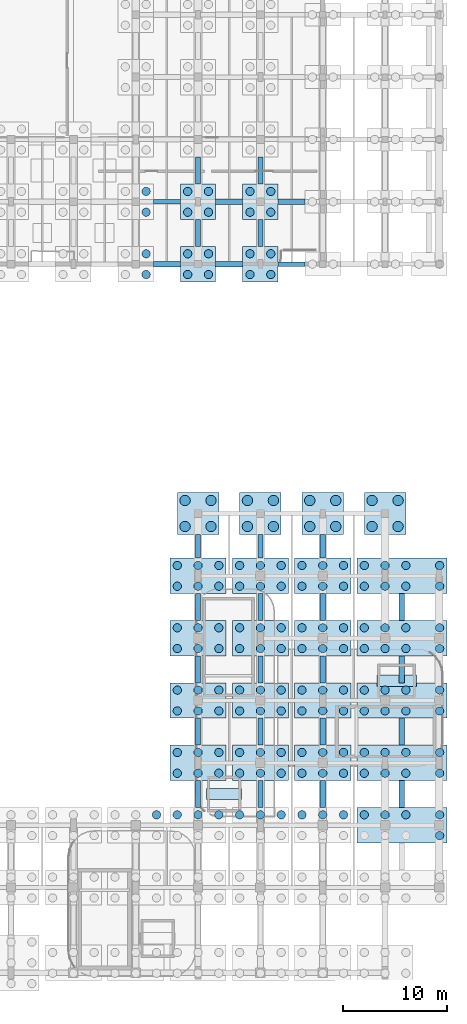
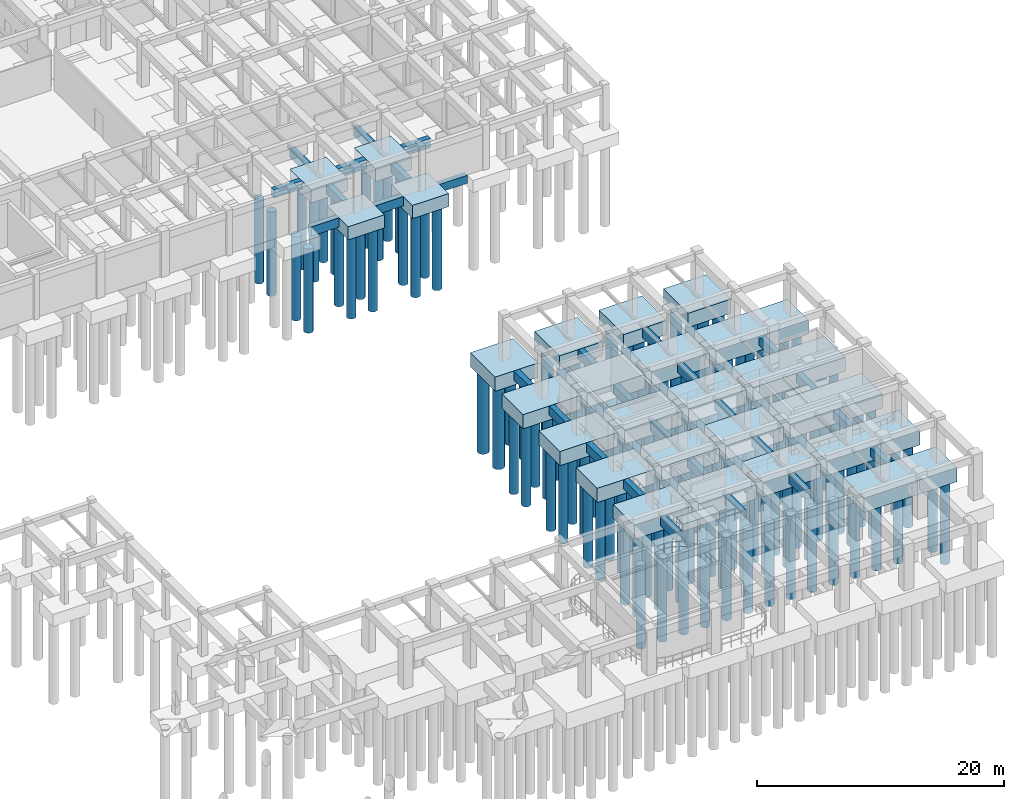
# One storey, part 9 of 32: 155 piles, 56 footings.
"""IFC4 building model written with IfcOpenShell, lengths in metres."""

from ifc_helpers import new_model, si_unit, direction, frame, origin, origin_2d, place, context, subcontext, project, spatial, rectangle, circle, extrude, material, material_profile, profile_set, type_object, element, save


model = new_model("IFC4")

# Units and contexts
model_context = context("Model", 3, precision=1e-05, world=origin(), true_north=direction((0.0, 1.0)))
body_context = subcontext(model_context, "Body", "Model", "MODEL_VIEW")
ifc_project = project(units=[si_unit("LENGTHUNIT", "METRE"), si_unit("AREAUNIT", "SQUARE_METRE"), si_unit("VOLUMEUNIT", "CUBIC_METRE"), si_unit("PLANEANGLEUNIT", "RADIAN"), si_unit("MASSUNIT", "GRAM", prefix="KILO")], contexts=[model_context])

# Site, building, storey
site_placement = place(None, origin())
site = spatial("IfcSite", under=ifc_project, at=site_placement, CompositionType="ELEMENT")
building_placement = place(site_placement, origin())
building = spatial("IfcBuilding", under=site, at=building_placement, Name="Varnakota Square Police Headquarters", CompositionType="ELEMENT")
storey_placement = place(building_placement, frame((0.0, 0.0, -4.5)))
storey = spatial("IfcBuildingStorey", under=building, at=storey_placement, Name="B1", CompositionType="ELEMENT", Elevation=-4.5)

# Footings
ifc_material_1 = material(Name="Concrete M40", Category="concrete")
ifc_material_profile_1 = material_profile(ifc_material_1, rectangle(XDim=0.5, YDim=0.89990234375, at=origin_2d()), Name="GB 500x900")
ifc_profile_set_1 = profile_set([ifc_material_profile_1], Name="Concrete M40")
footing_type_1 = type_object("IfcFootingType", Name="FT-GB1", PredefinedType="FOOTING_BEAM", material=ifc_profile_set_1)
for number, where, z_axis, x_axis, name in (
    (1, (133.699951171875, 69.0, -0.449951171875), (1.0, 0.0, 0.0), (0.0, 1.0, 0.0), "Ground tie beam GB-0073"),
    (2, (139.699951171875, 69.0, -0.449951171875), (1.0, 0.0, 0.0), (0.0, 1.0, 0.0), "Ground tie beam GB-0074"),
    (3, (139.699951171875, 75.0, -0.449951171875), (1.0, 0.0, 0.0), (0.0, 1.0, 0.0), "Ground tie beam GB-0088"),
    (4, (145.699951171875, 75.0, -0.449951171875), (1.0, 0.0, 0.0), (0.0, 1.0, 0.0), "Ground tie beam GB-0089"),
    (5, (138.0, 16.699951171875, -0.449951171875), (0.0, 1.0, 0.0), (-1.0, 0.0, 0.0), "Ground tie beam GB-0331"),
    (6, (138.0, 22.699951171875, -0.449951171875), (0.0, 1.0, 0.0), (-1.0, 0.0, 0.0), "Ground tie beam GB-0332"),
    (7, (138.0, 28.699951171875, -0.449951171875), (0.0, 1.0, 0.0), (-1.0, 0.0, 0.0), "Ground tie beam GB-0333"),
    (8, (138.0, 34.699951171875, -0.449951171875), (0.0, 1.0, 0.0), (-1.0, 0.0, 0.0), "Ground tie beam GB-0334"),
):
    element("IfcFooting", number, at=place(storey_placement, frame(where, z_axis=z_axis, x_axis=x_axis)), inside=storey, type_object=footing_type_1, Name=name, PredefinedType="FOOTING_BEAM", context=body_context, shape_type="SweptSolid", body=[
        extrude(rectangle(XDim=0.5, YDim=0.89990234375, at=origin_2d()), origin(), (0.0, 0.0, 1.0), 2.60009765625),
    ])
footing_1_placement = place(storey_placement, frame((138.0, 40.699951171875, -0.449951171875), z_axis=(0.0, 1.0, 0.0), x_axis=(-1.0, 0.0, 0.0)))
element("IfcFooting", 9, at=footing_1_placement, inside=storey, type_object=footing_type_1, Name="Ground tie beam GB-0335", PredefinedType="FOOTING_BEAM", context=body_context, shape_type="SweptSolid", body=[
    extrude(rectangle(XDim=0.5, YDim=0.89990234375, at=origin_2d()), origin(), (0.0, 0.0, 1.0), 2.300048828125),
])
for number, where, z_axis, x_axis, name in (
    (10, (138.0, 70.699951171875, -0.449951171875), (0.0, 1.0, 0.0), (-1.0, 0.0, 0.0), "Ground tie beam GB-0336"),
    (11, (138.0, 76.699951171875, -0.449951171875), (0.0, 1.0, 0.0), (-1.0, 0.0, 0.0), "Ground tie beam GB-0337"),
    (12, (144.0, 16.699951171875, -0.449951171875), (0.0, 1.0, 0.0), (-1.0, 0.0, 0.0), "Ground tie beam GB-0344"),
    (13, (144.0, 22.699951171875, -0.449951171875), (0.0, 1.0, 0.0), (-1.0, 0.0, 0.0), "Ground tie beam GB-0345"),
    (14, (144.0, 28.699951171875, -0.449951171875), (0.0, 1.0, 0.0), (-1.0, 0.0, 0.0), "Ground tie beam GB-0346"),
    (15, (144.0, 34.699951171875, -0.449951171875), (0.0, 1.0, 0.0), (-1.0, 0.0, 0.0), "Ground tie beam GB-0347"),
):
    element("IfcFooting", number, at=place(storey_placement, frame(where, z_axis=z_axis, x_axis=x_axis)), inside=storey, type_object=footing_type_1, Name=name, PredefinedType="FOOTING_BEAM", context=body_context, shape_type="SweptSolid", body=[
        extrude(rectangle(XDim=0.5, YDim=0.89990234375, at=origin_2d()), origin(), (0.0, 0.0, 1.0), 2.60009765625),
    ])
footing_2_placement = place(storey_placement, frame((144.0, 40.699951171875, -0.449951171875), z_axis=(0.0, 1.0, 0.0), x_axis=(-1.0, 0.0, 0.0)))
element("IfcFooting", 16, at=footing_2_placement, inside=storey, type_object=footing_type_1, Name="Ground tie beam GB-0348", PredefinedType="FOOTING_BEAM", context=body_context, shape_type="SweptSolid", body=[
    extrude(rectangle(XDim=0.5, YDim=0.89990234375, at=origin_2d()), origin(), (0.0, 0.0, 1.0), 2.300048828125),
])
for number, where, z_axis, x_axis, name in (
    (17, (144.0, 70.699951171875, -0.449951171875), (0.0, 1.0, 0.0), (-1.0, 0.0, 0.0), "Ground tie beam GB-0349"),
    (18, (144.0, 76.699951171875, -0.449951171875), (0.0, 1.0, 0.0), (-1.0, 0.0, 0.0), "Ground tie beam GB-0350"),
    (19, (150.0, 16.699951171875, -0.449951171875), (0.0, 1.0, 0.0), (-1.0, 0.0, 0.0), "Ground tie beam GB-0357"),
    (20, (150.0, 22.699951171875, -0.449951171875), (0.0, 1.0, 0.0), (-1.0, 0.0, 0.0), "Ground tie beam GB-0358"),
    (21, (150.0, 28.699951171875, -0.449951171875), (0.0, 1.0, 0.0), (-1.0, 0.0, 0.0), "Ground tie beam GB-0359"),
    (22, (150.0, 34.699951171875, -0.449951171875), (0.0, 1.0, 0.0), (-1.0, 0.0, 0.0), "Ground tie beam GB-0360"),
):
    element("IfcFooting", number, at=place(storey_placement, frame(where, z_axis=z_axis, x_axis=x_axis)), inside=storey, type_object=footing_type_1, Name=name, PredefinedType="FOOTING_BEAM", context=body_context, shape_type="SweptSolid", body=[
        extrude(rectangle(XDim=0.5, YDim=0.89990234375, at=origin_2d()), origin(), (0.0, 0.0, 1.0), 2.60009765625),
    ])
footing_3_placement = place(storey_placement, frame((150.0, 40.699951171875, -0.449951171875), z_axis=(0.0, 1.0, 0.0), x_axis=(-1.0, 0.0, 0.0)))
element("IfcFooting", 23, at=footing_3_placement, inside=storey, type_object=footing_type_1, Name="Ground tie beam GB-0361", PredefinedType="FOOTING_BEAM", context=body_context, shape_type="SweptSolid", body=[
    extrude(rectangle(XDim=0.5, YDim=0.89990234375, at=origin_2d()), origin(), (0.0, 0.0, 1.0), 2.300048828125),
])
for number, where, z_axis, x_axis, name in (
    (24, (157.60009765625, 16.699951171875, -0.449951171875), (0.0, 1.0, 0.0), (-1.0, 0.0, 0.0), "Ground tie beam GB-0374"),
    (25, (157.60009765625, 22.699951171875, -0.449951171875), (0.0, 1.0, 0.0), (-1.0, 0.0, 0.0), "Ground tie beam GB-0375"),
    (26, (157.60009765625, 28.699951171875, -0.449951171875), (0.0, 1.0, 0.0), (-1.0, 0.0, 0.0), "Ground tie beam GB-0376"),
    (27, (157.60009765625, 34.699951171875, -0.449951171875), (0.0, 1.0, 0.0), (-1.0, 0.0, 0.0), "Ground tie beam GB-0377"),
):
    element("IfcFooting", number, at=place(storey_placement, frame(where, z_axis=z_axis, x_axis=x_axis)), inside=storey, type_object=footing_type_1, Name=name, PredefinedType="FOOTING_BEAM", context=body_context, shape_type="SweptSolid", body=[
        extrude(rectangle(XDim=0.5, YDim=0.89990234375, at=origin_2d()), origin(), (0.0, 0.0, 1.0), 2.60009765625),
    ])
ifc_material_profile_2 = material_profile(ifc_material_1, rectangle(XDim=0.449951171875, YDim=0.800048828125, at=origin_2d()), Name="GB 450x800")
ifc_profile_set_2 = profile_set([ifc_material_profile_2], Name="Concrete M40")
footing_type_2 = type_object("IfcFootingType", Name="FT-GB3", PredefinedType="FOOTING_BEAM", material=ifc_profile_set_2)
for number, where, z_axis, x_axis, name in (
    (28, (145.699951171875, 69.0, -0.39990234375), (1.0, 0.0, 0.0), (0.0, 1.0, 0.0), "Ground tie beam GB-0075"),
    (29, (133.699951171875, 75.0, -0.39990234375), (1.0, 0.0, 0.0), (0.0, 1.0, 0.0), "Ground tie beam GB-0087"),
):
    element("IfcFooting", number, at=place(storey_placement, frame(where, z_axis=z_axis, x_axis=x_axis)), inside=storey, type_object=footing_type_2, Name=name, PredefinedType="FOOTING_BEAM", context=body_context, shape_type="SweptSolid", body=[
        extrude(rectangle(XDim=0.449951171875, YDim=0.800048828125, at=origin_2d()), origin(), (0.0, 0.0, 1.0), 2.60009765625),
    ])
footing_type_3 = type_object("IfcFootingType", Name="FT-PC4", PredefinedType="PILE_CAP", material=ifc_material_1)
for number, where, z_axis, x_axis, name in (
    (30, (138.0, 69.0, -1.2998046875), (0.0, 0.0, 1.0), (1.0, 0.0, 0.0), "Pile cap CAP-X1380-Y0690"),
    (31, (138.0, 75.0, -1.2998046875), (0.0, 0.0, 1.0), (1.0, 0.0, 0.0), "Pile cap CAP-X1380-Y0750"),
    (32, (144.0, 69.0, -1.2998046875), (0.0, 0.0, 1.0), (1.0, 0.0, 0.0), "Pile cap CAP-X1440-Y0690"),
    (33, (144.0, 75.0, -1.2998046875), (0.0, 0.0, 1.0), (1.0, 0.0, 0.0), "Pile cap CAP-X1440-Y0750"),
):
    element("IfcFooting", number, at=place(storey_placement, frame(where, z_axis=z_axis, x_axis=x_axis)), inside=storey, type_object=footing_type_3, Name=name, PredefinedType="PILE_CAP", context=body_context, shape_type="SweptSolid", body=[
        extrude(rectangle(XDim=3.39990234375, YDim=3.39990234375, at=origin_2d()), origin(), (0.0, 0.0, 1.0), 1.300048828125),
    ])
ifc_material_2 = material(Name="Concrete M50", Category="concrete")
footing_type_4 = type_object("IfcFootingType", Name="FT-PC6", PredefinedType="PILE_CAP", material=ifc_material_2)
for number, where, z_axis, x_axis, name in (
    (34, (138.0, 45.0, -1.39990234375), (0.0, 0.0, 1.0), (1.0, 0.0, 0.0), "Pile cap CAP-X1380-Y0450"),
    (35, (144.0, 45.0, -1.39990234375), (0.0, 0.0, 1.0), (1.0, 0.0, 0.0), "Pile cap CAP-X1440-Y0450"),
    (36, (150.0, 45.0, -1.39990234375), (0.0, 0.0, 1.0), (1.0, 0.0, 0.0), "Pile cap CAP-X1500-Y0450"),
    (37, (156.0, 45.0, -1.39990234375), (0.0, 0.0, 1.0), (1.0, 0.0, 0.0), "Pile cap CAP-X1560-Y0450"),
):
    element("IfcFooting", number, at=place(storey_placement, frame(where, z_axis=z_axis, x_axis=x_axis)), inside=storey, type_object=footing_type_4, Name=name, PredefinedType="PILE_CAP", context=body_context, shape_type="SweptSolid", body=[
        extrude(rectangle(XDim=4.0, YDim=4.0, at=origin_2d()), origin(), (0.0, 0.0, 1.0), 1.39990234375),
    ])
footing_type_5 = type_object("IfcFootingType", Name="FT-PC7", PredefinedType="PILE_CAP", material=ifc_material_2)
for number, where, z_axis, x_axis, name in (
    (38, (138.0, 21.0, -1.39990234375), (0.0, 0.0, 1.0), (1.0, 0.0, 0.0), "Pile cap CAP-X1380-Y0210"),
    (39, (138.0, 27.0, -1.39990234375), (0.0, 0.0, 1.0), (1.0, 0.0, 0.0), "Pile cap CAP-X1380-Y0270"),
    (40, (138.0, 33.0, -1.39990234375), (0.0, 0.0, 1.0), (1.0, 0.0, 0.0), "Pile cap CAP-X1380-Y0330"),
    (41, (138.0, 39.0, -1.39990234375), (0.0, 0.0, 1.0), (1.0, 0.0, 0.0), "Pile cap CAP-X1380-Y0390"),
    (42, (144.0, 21.0, -1.39990234375), (0.0, 0.0, 1.0), (1.0, 0.0, 0.0), "Pile cap CAP-X1440-Y0210"),
    (43, (144.0, 27.0, -1.39990234375), (0.0, 0.0, 1.0), (1.0, 0.0, 0.0), "Pile cap CAP-X1440-Y0270"),
    (44, (144.0, 33.0, -1.39990234375), (0.0, 0.0, 1.0), (1.0, 0.0, 0.0), "Pile cap CAP-X1440-Y0330"),
    (45, (144.0, 39.0, -1.39990234375), (0.0, 0.0, 1.0), (1.0, 0.0, 0.0), "Pile cap CAP-X1440-Y0390"),
    (46, (150.0, 21.0, -1.39990234375), (0.0, 0.0, 1.0), (1.0, 0.0, 0.0), "Pile cap CAP-X1500-Y0210"),
    (47, (150.0, 27.0, -1.39990234375), (0.0, 0.0, 1.0), (1.0, 0.0, 0.0), "Pile cap CAP-X1500-Y0270"),
    (48, (150.0, 33.0, -1.39990234375), (0.0, 0.0, 1.0), (1.0, 0.0, 0.0), "Pile cap CAP-X1500-Y0330"),
    (49, (150.0, 39.0, -1.39990234375), (0.0, 0.0, 1.0), (1.0, 0.0, 0.0), "Pile cap CAP-X1500-Y0390"),
):
    element("IfcFooting", number, at=place(storey_placement, frame(where, z_axis=z_axis, x_axis=x_axis)), inside=storey, type_object=footing_type_5, Name=name, PredefinedType="PILE_CAP", context=body_context, shape_type="SweptSolid", body=[
        extrude(rectangle(XDim=5.39990234375, YDim=3.39990234375, at=origin_2d()), origin(), (0.0, 0.0, 1.0), 1.39990234375),
    ])
footing_type_6 = type_object("IfcFootingType", Name="FT-PCM-865x340x140", PredefinedType="PILE_CAP", material=ifc_material_2)
for number, where, z_axis, x_axis, name in (
    (50, (157.625, 15.0, -1.39990234375), (0.0, 0.0, 1.0), (1.0, 0.0, 0.0), "Pile cap CAP-X1560-Y0150"),
    (51, (157.625, 21.0, -1.39990234375), (0.0, 0.0, 1.0), (1.0, 0.0, 0.0), "Pile cap CAP-X1560-Y0210"),
    (52, (157.625, 27.0, -1.39990234375), (0.0, 0.0, 1.0), (1.0, 0.0, 0.0), "Pile cap CAP-X1560-Y0270"),
    (53, (157.625, 33.0, -1.39990234375), (0.0, 0.0, 1.0), (1.0, 0.0, 0.0), "Pile cap CAP-X1560-Y0330"),
    (54, (157.625, 39.0, -1.39990234375), (0.0, 0.0, 1.0), (1.0, 0.0, 0.0), "Pile cap CAP-X1560-Y0390"),
):
    element("IfcFooting", number, at=place(storey_placement, frame(where, z_axis=z_axis, x_axis=x_axis)), inside=storey, type_object=footing_type_6, Name=name, PredefinedType="PILE_CAP", context=body_context, shape_type="SweptSolid", body=[
        extrude(rectangle(XDim=8.64990234375, YDim=3.39990234375, at=origin_2d()), origin(), (0.0, 0.0, 1.0), 1.39990234375),
    ])
ifc_material_profile_3 = material_profile(ifc_material_1, rectangle(XDim=1.10009765625, YDim=0.699951171875, at=origin_2d()), Name="SF 1100x700")
ifc_profile_set_3 = profile_set([ifc_material_profile_3], Name="Concrete M40")
footing_type_7 = type_object("IfcFootingType", Name="FT-SF2", PredefinedType="STRIP_FOOTING", material=ifc_profile_set_3)
footing_4_placement = place(storey_placement, frame((138.800048828125, 18.0, -0.35009765625), z_axis=(1.0, 0.0, 0.0), x_axis=(0.0, 1.0, 0.0)))
element("IfcFooting", 55, at=footing_4_placement, inside=storey, type_object=footing_type_7, Name="Strip footing SF-07", PredefinedType="STRIP_FOOTING", context=body_context, shape_type="SweptSolid", body=[
    extrude(rectangle(XDim=1.10009765625, YDim=0.699951171875, at=origin_2d()), origin(), (0.0, 0.0, 1.0), 3.39990234375),
])
footing_5_placement = place(storey_placement, frame((155.199951171875, 28.89990234375, -0.35009765625), z_axis=(1.0, 0.0, 0.0), x_axis=(0.0, 1.0, 0.0)))
element("IfcFooting", 56, at=footing_5_placement, inside=storey, type_object=footing_type_7, Name="Strip footing SF-10", PredefinedType="STRIP_FOOTING", context=body_context, shape_type="SweptSolid", body=[
    extrude(rectangle(XDim=1.10009765625, YDim=0.699951171875, at=origin_2d()), origin(), (0.0, 0.0, 1.0), 3.800048828125),
])

# Piles
ifc_material_profile_4 = material_profile(ifc_material_2, circle(Radius=0.5, at=origin_2d()), Name="BORED PILE 1000")
ifc_profile_set_4 = profile_set([ifc_material_profile_4], Name="Concrete M50")
pile_type_1 = type_object("IfcPileType", Name="PILE-D1000", PredefinedType="BORED", material=ifc_profile_set_4)
for number, where, z_axis, x_axis, name in (
    (57, (136.75, 43.75, -1.300048828125), (0.0, 0.0, -1.0), (1.0, 0.0, 0.0), "Bored pile PLG-0963"),
    (58, (136.75, 46.25, -1.300048828125), (0.0, 0.0, -1.0), (1.0, 0.0, 0.0), "Bored pile PLG-0964"),
    (59, (139.25, 43.75, -1.300048828125), (0.0, 0.0, -1.0), (1.0, 0.0, 0.0), "Bored pile PLG-0965"),
    (60, (139.25, 46.25, -1.300048828125), (0.0, 0.0, -1.0), (1.0, 0.0, 0.0), "Bored pile PLG-0966"),
    (61, (142.75, 43.75, -1.300048828125), (0.0, 0.0, -1.0), (1.0, 0.0, 0.0), "Bored pile PLG-1041"),
    (62, (142.75, 46.25, -1.300048828125), (0.0, 0.0, -1.0), (1.0, 0.0, 0.0), "Bored pile PLG-1042"),
    (63, (145.25, 43.75, -1.300048828125), (0.0, 0.0, -1.0), (1.0, 0.0, 0.0), "Bored pile PLG-1043"),
    (64, (145.25, 46.25, -1.300048828125), (0.0, 0.0, -1.0), (1.0, 0.0, 0.0), "Bored pile PLG-1044"),
    (65, (148.75, 43.75, -1.300048828125), (0.0, 0.0, -1.0), (1.0, 0.0, 0.0), "Bored pile PLG-1119"),
    (66, (148.75, 46.25, -1.300048828125), (0.0, 0.0, -1.0), (1.0, 0.0, 0.0), "Bored pile PLG-1120"),
    (67, (151.25, 43.75, -1.300048828125), (0.0, 0.0, -1.0), (1.0, 0.0, 0.0), "Bored pile PLG-1121"),
    (68, (151.25, 46.25, -1.300048828125), (0.0, 0.0, -1.0), (1.0, 0.0, 0.0), "Bored pile PLG-1122"),
    (69, (154.75, 43.75, -1.300048828125), (0.0, 0.0, -1.0), (1.0, 0.0, 0.0), "Bored pile PLG-1187"),
    (70, (154.75, 46.25, -1.300048828125), (0.0, 0.0, -1.0), (1.0, 0.0, 0.0), "Bored pile PLG-1188"),
    (71, (157.25, 43.75, -1.300048828125), (0.0, 0.0, -1.0), (1.0, 0.0, 0.0), "Bored pile PLG-1189"),
    (72, (157.25, 46.25, -1.300048828125), (0.0, 0.0, -1.0), (1.0, 0.0, 0.0), "Bored pile PLG-1190"),
):
    element("IfcPile", number, at=place(storey_placement, frame(where, z_axis=z_axis, x_axis=x_axis)), inside=storey, type_object=pile_type_1, Name=name, PredefinedType="BORED", context=body_context, shape_type="SweptSolid", body=[
        extrude(circle(Radius=0.5, at=origin_2d()), origin(), (0.0, 0.0, 1.0), 8.199951171875),
    ])
ifc_material_profile_5 = material_profile(ifc_material_1, circle(Radius=0.39990234375, at=origin_2d()), Name="BORED PILE 800")
ifc_profile_set_5 = profile_set([ifc_material_profile_5], Name="Concrete M40")
pile_type_2 = type_object("IfcPileType", Name="PILE-D800", PredefinedType="BORED", material=ifc_profile_set_5)
pile_placement = place(storey_placement, frame((134.0, 16.0, -1.300048828125), z_axis=(0.0, 0.0, -1.0), x_axis=(1.0, 0.0, 0.0)))
element("IfcPile", 73, at=pile_placement, inside=storey, type_object=pile_type_2, Name="Bored pile PLG-0888", PredefinedType="BORED", context=body_context, shape_type="SweptSolid", body=[
    extrude(circle(Radius=0.39990234375, at=origin_2d()), origin(), (0.0, 0.0, 1.0), 8.199951171875),
])
for number, where, z_axis, x_axis, name in (
    (74, (133.0, 68.0, -1.199951171875), (0.0, 0.0, -1.0), (1.0, 0.0, 0.0), "Bored pile PLG-0891"),
    (75, (133.0, 70.0, -1.199951171875), (0.0, 0.0, -1.0), (1.0, 0.0, 0.0), "Bored pile PLG-0892"),
    (76, (133.0, 74.0, -1.199951171875), (0.0, 0.0, -1.0), (1.0, 0.0, 0.0), "Bored pile PLG-0895"),
    (77, (133.0, 76.0, -1.199951171875), (0.0, 0.0, -1.0), (1.0, 0.0, 0.0), "Bored pile PLG-0896"),
):
    element("IfcPile", number, at=place(storey_placement, frame(where, z_axis=z_axis, x_axis=x_axis)), inside=storey, type_object=pile_type_2, Name=name, PredefinedType="BORED", context=body_context, shape_type="SweptSolid", body=[
        extrude(circle(Radius=0.39990234375, at=origin_2d()), origin(), (0.0, 0.0, 1.0), 8.300048828125),
    ])
for number, where, z_axis, x_axis, name in (
    (78, (136.0, 16.0, -1.300048828125), (0.0, 0.0, -1.0), (1.0, 0.0, 0.0), "Bored pile PLG-0934"),
    (79, (138.0, 16.0, -1.300048828125), (0.0, 0.0, -1.0), (1.0, 0.0, 0.0), "Bored pile PLG-0936"),
    (80, (140.0, 16.0, -1.300048828125), (0.0, 0.0, -1.0), (1.0, 0.0, 0.0), "Bored pile PLG-0938"),
    (81, (136.0, 20.0, -1.300048828125), (0.0, 0.0, -1.0), (1.0, 0.0, 0.0), "Bored pile PLG-0939"),
    (82, (136.0, 22.0, -1.300048828125), (0.0, 0.0, -1.0), (1.0, 0.0, 0.0), "Bored pile PLG-0940"),
    (83, (138.0, 20.0, -1.300048828125), (0.0, 0.0, -1.0), (1.0, 0.0, 0.0), "Bored pile PLG-0941"),
    (84, (138.0, 22.0, -1.300048828125), (0.0, 0.0, -1.0), (1.0, 0.0, 0.0), "Bored pile PLG-0942"),
    (85, (140.0, 20.0, -1.300048828125), (0.0, 0.0, -1.0), (1.0, 0.0, 0.0), "Bored pile PLG-0943"),
    (86, (140.0, 22.0, -1.300048828125), (0.0, 0.0, -1.0), (1.0, 0.0, 0.0), "Bored pile PLG-0944"),
    (87, (136.0, 26.0, -1.300048828125), (0.0, 0.0, -1.0), (1.0, 0.0, 0.0), "Bored pile PLG-0945"),
    (88, (136.0, 28.0, -1.300048828125), (0.0, 0.0, -1.0), (1.0, 0.0, 0.0), "Bored pile PLG-0946"),
    (89, (138.0, 26.0, -1.300048828125), (0.0, 0.0, -1.0), (1.0, 0.0, 0.0), "Bored pile PLG-0947"),
    (90, (138.0, 28.0, -1.300048828125), (0.0, 0.0, -1.0), (1.0, 0.0, 0.0), "Bored pile PLG-0948"),
    (91, (140.0, 26.0, -1.300048828125), (0.0, 0.0, -1.0), (1.0, 0.0, 0.0), "Bored pile PLG-0949"),
    (92, (140.0, 28.0, -1.300048828125), (0.0, 0.0, -1.0), (1.0, 0.0, 0.0), "Bored pile PLG-0950"),
    (93, (136.0, 32.0, -1.300048828125), (0.0, 0.0, -1.0), (1.0, 0.0, 0.0), "Bored pile PLG-0951"),
    (94, (136.0, 34.0, -1.300048828125), (0.0, 0.0, -1.0), (1.0, 0.0, 0.0), "Bored pile PLG-0952"),
    (95, (138.0, 32.0, -1.300048828125), (0.0, 0.0, -1.0), (1.0, 0.0, 0.0), "Bored pile PLG-0953"),
    (96, (138.0, 34.0, -1.300048828125), (0.0, 0.0, -1.0), (1.0, 0.0, 0.0), "Bored pile PLG-0954"),
    (97, (140.0, 32.0, -1.300048828125), (0.0, 0.0, -1.0), (1.0, 0.0, 0.0), "Bored pile PLG-0955"),
    (98, (140.0, 34.0, -1.300048828125), (0.0, 0.0, -1.0), (1.0, 0.0, 0.0), "Bored pile PLG-0956"),
    (99, (136.0, 38.0, -1.300048828125), (0.0, 0.0, -1.0), (1.0, 0.0, 0.0), "Bored pile PLG-0957"),
    (100, (136.0, 40.0, -1.300048828125), (0.0, 0.0, -1.0), (1.0, 0.0, 0.0), "Bored pile PLG-0958"),
    (101, (138.0, 38.0, -1.300048828125), (0.0, 0.0, -1.0), (1.0, 0.0, 0.0), "Bored pile PLG-0959"),
    (102, (138.0, 40.0, -1.300048828125), (0.0, 0.0, -1.0), (1.0, 0.0, 0.0), "Bored pile PLG-0960"),
    (103, (140.0, 38.0, -1.300048828125), (0.0, 0.0, -1.0), (1.0, 0.0, 0.0), "Bored pile PLG-0961"),
    (104, (140.0, 40.0, -1.300048828125), (0.0, 0.0, -1.0), (1.0, 0.0, 0.0), "Bored pile PLG-0962"),
):
    element("IfcPile", number, at=place(storey_placement, frame(where, z_axis=z_axis, x_axis=x_axis)), inside=storey, type_object=pile_type_2, Name=name, PredefinedType="BORED", context=body_context, shape_type="SweptSolid", body=[
        extrude(circle(Radius=0.39990234375, at=origin_2d()), origin(), (0.0, 0.0, 1.0), 8.199951171875),
    ])
for number, where, z_axis, x_axis, name in (
    (105, (137.0, 68.0, -1.199951171875), (0.0, 0.0, -1.0), (1.0, 0.0, 0.0), "Bored pile PLG-0967"),
    (106, (137.0, 70.0, -1.199951171875), (0.0, 0.0, -1.0), (1.0, 0.0, 0.0), "Bored pile PLG-0968"),
    (107, (139.0, 68.0, -1.199951171875), (0.0, 0.0, -1.0), (1.0, 0.0, 0.0), "Bored pile PLG-0969"),
    (108, (139.0, 70.0, -1.199951171875), (0.0, 0.0, -1.0), (1.0, 0.0, 0.0), "Bored pile PLG-0970"),
    (109, (137.0, 74.0, -1.199951171875), (0.0, 0.0, -1.0), (1.0, 0.0, 0.0), "Bored pile PLG-0971"),
    (110, (137.0, 76.0, -1.199951171875), (0.0, 0.0, -1.0), (1.0, 0.0, 0.0), "Bored pile PLG-0972"),
    (111, (139.0, 74.0, -1.199951171875), (0.0, 0.0, -1.0), (1.0, 0.0, 0.0), "Bored pile PLG-0973"),
    (112, (139.0, 76.0, -1.199951171875), (0.0, 0.0, -1.0), (1.0, 0.0, 0.0), "Bored pile PLG-0974"),
):
    element("IfcPile", number, at=place(storey_placement, frame(where, z_axis=z_axis, x_axis=x_axis)), inside=storey, type_object=pile_type_2, Name=name, PredefinedType="BORED", context=body_context, shape_type="SweptSolid", body=[
        extrude(circle(Radius=0.39990234375, at=origin_2d()), origin(), (0.0, 0.0, 1.0), 8.300048828125),
    ])
for number, where, z_axis, x_axis, name in (
    (113, (142.0, 16.0, -1.300048828125), (0.0, 0.0, -1.0), (1.0, 0.0, 0.0), "Bored pile PLG-1012"),
    (114, (144.0, 16.0, -1.300048828125), (0.0, 0.0, -1.0), (1.0, 0.0, 0.0), "Bored pile PLG-1014"),
    (115, (146.0, 16.0, -1.300048828125), (0.0, 0.0, -1.0), (1.0, 0.0, 0.0), "Bored pile PLG-1016"),
    (116, (142.0, 20.0, -1.300048828125), (0.0, 0.0, -1.0), (1.0, 0.0, 0.0), "Bored pile PLG-1017"),
    (117, (142.0, 22.0, -1.300048828125), (0.0, 0.0, -1.0), (1.0, 0.0, 0.0), "Bored pile PLG-1018"),
    (118, (144.0, 20.0, -1.300048828125), (0.0, 0.0, -1.0), (1.0, 0.0, 0.0), "Bored pile PLG-1019"),
    (119, (144.0, 22.0, -1.300048828125), (0.0, 0.0, -1.0), (1.0, 0.0, 0.0), "Bored pile PLG-1020"),
    (120, (146.0, 20.0, -1.300048828125), (0.0, 0.0, -1.0), (1.0, 0.0, 0.0), "Bored pile PLG-1021"),
    (121, (146.0, 22.0, -1.300048828125), (0.0, 0.0, -1.0), (1.0, 0.0, 0.0), "Bored pile PLG-1022"),
    (122, (142.0, 26.0, -1.300048828125), (0.0, 0.0, -1.0), (1.0, 0.0, 0.0), "Bored pile PLG-1023"),
    (123, (142.0, 28.0, -1.300048828125), (0.0, 0.0, -1.0), (1.0, 0.0, 0.0), "Bored pile PLG-1024"),
    (124, (144.0, 26.0, -1.300048828125), (0.0, 0.0, -1.0), (1.0, 0.0, 0.0), "Bored pile PLG-1025"),
    (125, (144.0, 28.0, -1.300048828125), (0.0, 0.0, -1.0), (1.0, 0.0, 0.0), "Bored pile PLG-1026"),
    (126, (146.0, 26.0, -1.300048828125), (0.0, 0.0, -1.0), (1.0, 0.0, 0.0), "Bored pile PLG-1027"),
    (127, (146.0, 28.0, -1.300048828125), (0.0, 0.0, -1.0), (1.0, 0.0, 0.0), "Bored pile PLG-1028"),
    (128, (142.0, 32.0, -1.300048828125), (0.0, 0.0, -1.0), (1.0, 0.0, 0.0), "Bored pile PLG-1029"),
    (129, (142.0, 34.0, -1.300048828125), (0.0, 0.0, -1.0), (1.0, 0.0, 0.0), "Bored pile PLG-1030"),
    (130, (144.0, 32.0, -1.300048828125), (0.0, 0.0, -1.0), (1.0, 0.0, 0.0), "Bored pile PLG-1031"),
    (131, (144.0, 34.0, -1.300048828125), (0.0, 0.0, -1.0), (1.0, 0.0, 0.0), "Bored pile PLG-1032"),
    (132, (146.0, 32.0, -1.300048828125), (0.0, 0.0, -1.0), (1.0, 0.0, 0.0), "Bored pile PLG-1033"),
    (133, (146.0, 34.0, -1.300048828125), (0.0, 0.0, -1.0), (1.0, 0.0, 0.0), "Bored pile PLG-1034"),
    (134, (142.0, 38.0, -1.300048828125), (0.0, 0.0, -1.0), (1.0, 0.0, 0.0), "Bored pile PLG-1035"),
    (135, (142.0, 40.0, -1.300048828125), (0.0, 0.0, -1.0), (1.0, 0.0, 0.0), "Bored pile PLG-1036"),
    (136, (144.0, 38.0, -1.300048828125), (0.0, 0.0, -1.0), (1.0, 0.0, 0.0), "Bored pile PLG-1037"),
    (137, (144.0, 40.0, -1.300048828125), (0.0, 0.0, -1.0), (1.0, 0.0, 0.0), "Bored pile PLG-1038"),
    (138, (146.0, 38.0, -1.300048828125), (0.0, 0.0, -1.0), (1.0, 0.0, 0.0), "Bored pile PLG-1039"),
    (139, (146.0, 40.0, -1.300048828125), (0.0, 0.0, -1.0), (1.0, 0.0, 0.0), "Bored pile PLG-1040"),
):
    element("IfcPile", number, at=place(storey_placement, frame(where, z_axis=z_axis, x_axis=x_axis)), inside=storey, type_object=pile_type_2, Name=name, PredefinedType="BORED", context=body_context, shape_type="SweptSolid", body=[
        extrude(circle(Radius=0.39990234375, at=origin_2d()), origin(), (0.0, 0.0, 1.0), 8.199951171875),
    ])
for number, where, z_axis, x_axis, name in (
    (140, (143.0, 68.0, -1.199951171875), (0.0, 0.0, -1.0), (1.0, 0.0, 0.0), "Bored pile PLG-1045"),
    (141, (143.0, 70.0, -1.199951171875), (0.0, 0.0, -1.0), (1.0, 0.0, 0.0), "Bored pile PLG-1046"),
    (142, (145.0, 68.0, -1.199951171875), (0.0, 0.0, -1.0), (1.0, 0.0, 0.0), "Bored pile PLG-1047"),
    (143, (145.0, 70.0, -1.199951171875), (0.0, 0.0, -1.0), (1.0, 0.0, 0.0), "Bored pile PLG-1048"),
    (144, (143.0, 74.0, -1.199951171875), (0.0, 0.0, -1.0), (1.0, 0.0, 0.0), "Bored pile PLG-1049"),
    (145, (143.0, 76.0, -1.199951171875), (0.0, 0.0, -1.0), (1.0, 0.0, 0.0), "Bored pile PLG-1050"),
    (146, (145.0, 74.0, -1.199951171875), (0.0, 0.0, -1.0), (1.0, 0.0, 0.0), "Bored pile PLG-1051"),
    (147, (145.0, 76.0, -1.199951171875), (0.0, 0.0, -1.0), (1.0, 0.0, 0.0), "Bored pile PLG-1052"),
):
    element("IfcPile", number, at=place(storey_placement, frame(where, z_axis=z_axis, x_axis=x_axis)), inside=storey, type_object=pile_type_2, Name=name, PredefinedType="BORED", context=body_context, shape_type="SweptSolid", body=[
        extrude(circle(Radius=0.39990234375, at=origin_2d()), origin(), (0.0, 0.0, 1.0), 8.300048828125),
    ])
for number, where, z_axis, x_axis, name in (
    (148, (148.0, 16.0, -1.300048828125), (0.0, 0.0, -1.0), (1.0, 0.0, 0.0), "Bored pile PLG-1090"),
    (149, (150.0, 16.0, -1.300048828125), (0.0, 0.0, -1.0), (1.0, 0.0, 0.0), "Bored pile PLG-1092"),
    (150, (152.0, 16.0, -1.300048828125), (0.0, 0.0, -1.0), (1.0, 0.0, 0.0), "Bored pile PLG-1094"),
    (151, (148.0, 20.0, -1.300048828125), (0.0, 0.0, -1.0), (1.0, 0.0, 0.0), "Bored pile PLG-1095"),
    (152, (148.0, 22.0, -1.300048828125), (0.0, 0.0, -1.0), (1.0, 0.0, 0.0), "Bored pile PLG-1096"),
    (153, (150.0, 20.0, -1.300048828125), (0.0, 0.0, -1.0), (1.0, 0.0, 0.0), "Bored pile PLG-1097"),
    (154, (150.0, 22.0, -1.300048828125), (0.0, 0.0, -1.0), (1.0, 0.0, 0.0), "Bored pile PLG-1098"),
    (155, (152.0, 20.0, -1.300048828125), (0.0, 0.0, -1.0), (1.0, 0.0, 0.0), "Bored pile PLG-1099"),
    (156, (152.0, 22.0, -1.300048828125), (0.0, 0.0, -1.0), (1.0, 0.0, 0.0), "Bored pile PLG-1100"),
    (157, (148.0, 26.0, -1.300048828125), (0.0, 0.0, -1.0), (1.0, 0.0, 0.0), "Bored pile PLG-1101"),
    (158, (148.0, 28.0, -1.300048828125), (0.0, 0.0, -1.0), (1.0, 0.0, 0.0), "Bored pile PLG-1102"),
    (159, (150.0, 26.0, -1.300048828125), (0.0, 0.0, -1.0), (1.0, 0.0, 0.0), "Bored pile PLG-1103"),
    (160, (150.0, 28.0, -1.300048828125), (0.0, 0.0, -1.0), (1.0, 0.0, 0.0), "Bored pile PLG-1104"),
    (161, (152.0, 26.0, -1.300048828125), (0.0, 0.0, -1.0), (1.0, 0.0, 0.0), "Bored pile PLG-1105"),
    (162, (152.0, 28.0, -1.300048828125), (0.0, 0.0, -1.0), (1.0, 0.0, 0.0), "Bored pile PLG-1106"),
    (163, (148.0, 32.0, -1.300048828125), (0.0, 0.0, -1.0), (1.0, 0.0, 0.0), "Bored pile PLG-1107"),
    (164, (148.0, 34.0, -1.300048828125), (0.0, 0.0, -1.0), (1.0, 0.0, 0.0), "Bored pile PLG-1108"),
    (165, (150.0, 32.0, -1.300048828125), (0.0, 0.0, -1.0), (1.0, 0.0, 0.0), "Bored pile PLG-1109"),
    (166, (150.0, 34.0, -1.300048828125), (0.0, 0.0, -1.0), (1.0, 0.0, 0.0), "Bored pile PLG-1110"),
    (167, (152.0, 32.0, -1.300048828125), (0.0, 0.0, -1.0), (1.0, 0.0, 0.0), "Bored pile PLG-1111"),
    (168, (152.0, 34.0, -1.300048828125), (0.0, 0.0, -1.0), (1.0, 0.0, 0.0), "Bored pile PLG-1112"),
    (169, (148.0, 38.0, -1.300048828125), (0.0, 0.0, -1.0), (1.0, 0.0, 0.0), "Bored pile PLG-1113"),
    (170, (148.0, 40.0, -1.300048828125), (0.0, 0.0, -1.0), (1.0, 0.0, 0.0), "Bored pile PLG-1114"),
    (171, (150.0, 38.0, -1.300048828125), (0.0, 0.0, -1.0), (1.0, 0.0, 0.0), "Bored pile PLG-1115"),
    (172, (150.0, 40.0, -1.300048828125), (0.0, 0.0, -1.0), (1.0, 0.0, 0.0), "Bored pile PLG-1116"),
    (173, (152.0, 38.0, -1.300048828125), (0.0, 0.0, -1.0), (1.0, 0.0, 0.0), "Bored pile PLG-1117"),
    (174, (152.0, 40.0, -1.300048828125), (0.0, 0.0, -1.0), (1.0, 0.0, 0.0), "Bored pile PLG-1118"),
    (175, (154.0, 16.0, -1.300048828125), (0.0, 0.0, -1.0), (1.0, 0.0, 0.0), "Bored pile PLG-1148"),
    (176, (156.0, 16.0, -1.300048828125), (0.0, 0.0, -1.0), (1.0, 0.0, 0.0), "Bored pile PLG-1150"),
    (177, (158.0, 16.0, -1.300048828125), (0.0, 0.0, -1.0), (1.0, 0.0, 0.0), "Bored pile PLG-1152"),
    (178, (161.25, 14.0, -1.300048828125), (0.0, 0.0, -1.0), (1.0, 0.0, 0.0), "Bored pile PLG-1153"),
    (179, (161.25, 16.0, -1.300048828125), (0.0, 0.0, -1.0), (1.0, 0.0, 0.0), "Bored pile PLG-1154"),
    (180, (154.0, 20.0, -1.300048828125), (0.0, 0.0, -1.0), (1.0, 0.0, 0.0), "Bored pile PLG-1155"),
    (181, (154.0, 22.0, -1.300048828125), (0.0, 0.0, -1.0), (1.0, 0.0, 0.0), "Bored pile PLG-1156"),
    (182, (156.0, 20.0, -1.300048828125), (0.0, 0.0, -1.0), (1.0, 0.0, 0.0), "Bored pile PLG-1157"),
    (183, (156.0, 22.0, -1.300048828125), (0.0, 0.0, -1.0), (1.0, 0.0, 0.0), "Bored pile PLG-1158"),
    (184, (158.0, 20.0, -1.300048828125), (0.0, 0.0, -1.0), (1.0, 0.0, 0.0), "Bored pile PLG-1159"),
    (185, (158.0, 22.0, -1.300048828125), (0.0, 0.0, -1.0), (1.0, 0.0, 0.0), "Bored pile PLG-1160"),
    (186, (161.25, 20.0, -1.300048828125), (0.0, 0.0, -1.0), (1.0, 0.0, 0.0), "Bored pile PLG-1161"),
    (187, (161.25, 22.0, -1.300048828125), (0.0, 0.0, -1.0), (1.0, 0.0, 0.0), "Bored pile PLG-1162"),
    (188, (154.0, 26.0, -1.300048828125), (0.0, 0.0, -1.0), (1.0, 0.0, 0.0), "Bored pile PLG-1163"),
    (189, (154.0, 28.0, -1.300048828125), (0.0, 0.0, -1.0), (1.0, 0.0, 0.0), "Bored pile PLG-1164"),
    (190, (156.0, 26.0, -1.300048828125), (0.0, 0.0, -1.0), (1.0, 0.0, 0.0), "Bored pile PLG-1165"),
    (191, (156.0, 28.0, -1.300048828125), (0.0, 0.0, -1.0), (1.0, 0.0, 0.0), "Bored pile PLG-1166"),
    (192, (158.0, 26.0, -1.300048828125), (0.0, 0.0, -1.0), (1.0, 0.0, 0.0), "Bored pile PLG-1167"),
    (193, (158.0, 28.0, -1.300048828125), (0.0, 0.0, -1.0), (1.0, 0.0, 0.0), "Bored pile PLG-1168"),
    (194, (161.25, 26.0, -1.300048828125), (0.0, 0.0, -1.0), (1.0, 0.0, 0.0), "Bored pile PLG-1169"),
    (195, (161.25, 28.0, -1.300048828125), (0.0, 0.0, -1.0), (1.0, 0.0, 0.0), "Bored pile PLG-1170"),
    (196, (154.0, 32.0, -1.300048828125), (0.0, 0.0, -1.0), (1.0, 0.0, 0.0), "Bored pile PLG-1171"),
    (197, (154.0, 34.0, -1.300048828125), (0.0, 0.0, -1.0), (1.0, 0.0, 0.0), "Bored pile PLG-1172"),
    (198, (156.0, 32.0, -1.300048828125), (0.0, 0.0, -1.0), (1.0, 0.0, 0.0), "Bored pile PLG-1173"),
    (199, (156.0, 34.0, -1.300048828125), (0.0, 0.0, -1.0), (1.0, 0.0, 0.0), "Bored pile PLG-1174"),
    (200, (158.0, 32.0, -1.300048828125), (0.0, 0.0, -1.0), (1.0, 0.0, 0.0), "Bored pile PLG-1175"),
    (201, (158.0, 34.0, -1.300048828125), (0.0, 0.0, -1.0), (1.0, 0.0, 0.0), "Bored pile PLG-1176"),
    (202, (161.25, 32.0, -1.300048828125), (0.0, 0.0, -1.0), (1.0, 0.0, 0.0), "Bored pile PLG-1177"),
    (203, (161.25, 34.0, -1.300048828125), (0.0, 0.0, -1.0), (1.0, 0.0, 0.0), "Bored pile PLG-1178"),
    (204, (154.0, 38.0, -1.300048828125), (0.0, 0.0, -1.0), (1.0, 0.0, 0.0), "Bored pile PLG-1179"),
    (205, (154.0, 40.0, -1.300048828125), (0.0, 0.0, -1.0), (1.0, 0.0, 0.0), "Bored pile PLG-1180"),
    (206, (156.0, 38.0, -1.300048828125), (0.0, 0.0, -1.0), (1.0, 0.0, 0.0), "Bored pile PLG-1181"),
    (207, (156.0, 40.0, -1.300048828125), (0.0, 0.0, -1.0), (1.0, 0.0, 0.0), "Bored pile PLG-1182"),
    (208, (158.0, 38.0, -1.300048828125), (0.0, 0.0, -1.0), (1.0, 0.0, 0.0), "Bored pile PLG-1183"),
    (209, (158.0, 40.0, -1.300048828125), (0.0, 0.0, -1.0), (1.0, 0.0, 0.0), "Bored pile PLG-1184"),
    (210, (161.25, 38.0, -1.300048828125), (0.0, 0.0, -1.0), (1.0, 0.0, 0.0), "Bored pile PLG-1185"),
    (211, (161.25, 40.0, -1.300048828125), (0.0, 0.0, -1.0), (1.0, 0.0, 0.0), "Bored pile PLG-1186"),
):
    element("IfcPile", number, at=place(storey_placement, frame(where, z_axis=z_axis, x_axis=x_axis)), inside=storey, type_object=pile_type_2, Name=name, PredefinedType="BORED", context=body_context, shape_type="SweptSolid", body=[
        extrude(circle(Radius=0.39990234375, at=origin_2d()), origin(), (0.0, 0.0, 1.0), 8.199951171875),
    ])

save(model, "model.ifc")
